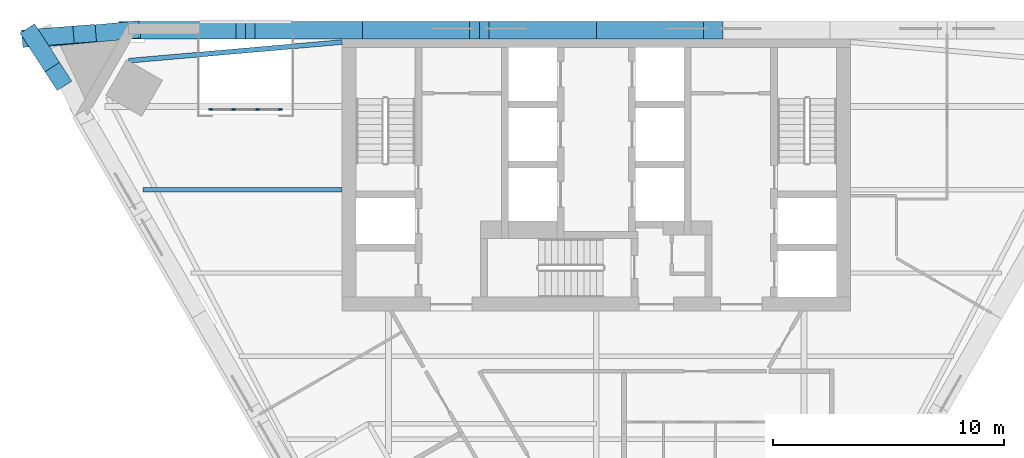
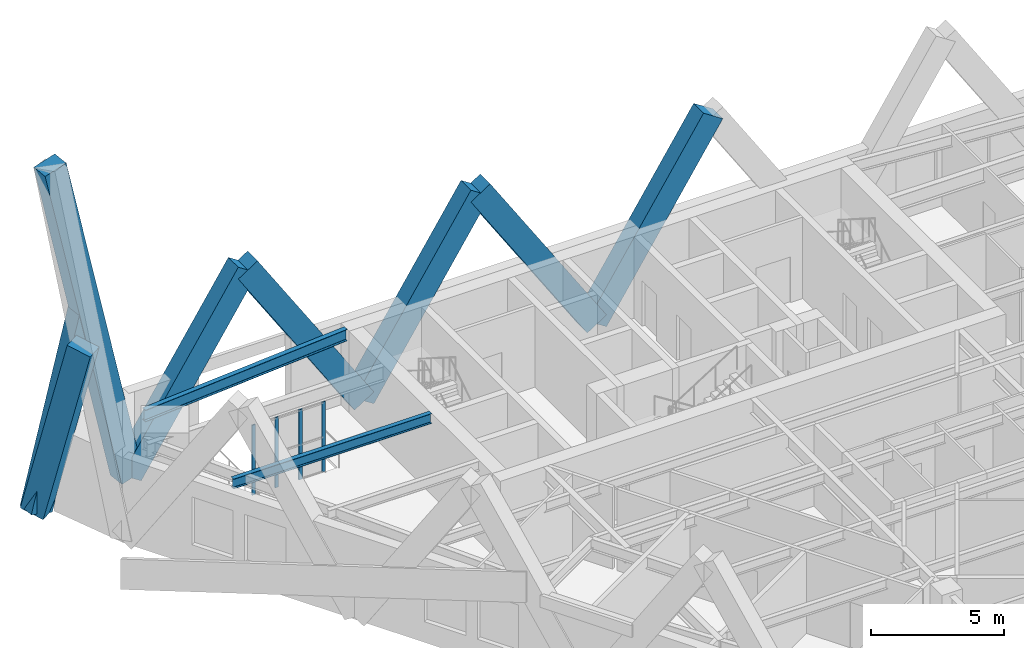
# One storey, part 2 of 9: 12 members, 2 beams, 1 element without a shape of its own.
"""IFC4 building model written with IfcOpenShell, lengths in metres."""

import ifcopenshell
import ifcopenshell.guid

model = None  # the IFC model being written
_history = None  # IfcOwnerHistory: only IFC2X3 demands one
_inside = {}  # id of a spatial element -> (the spatial element, [elements in it])
_under = {}  # id of a project, library or spatial element -> (it, [spatial elements below it])
_declared = {}  # id of a project -> (the project, [libraries it declares])
_typed = {}  # id of a type object -> (the type object, [elements of that type])
_made_of = {}  # id of a material, layer set ... -> (it, [elements and type objects made of it])


def new_model(schema):
    """Start an empty IFC model of exactly this schema.

    Asked for "IFC4X3", IfcOpenShell would pick the latest addendum, in which some entities
    have other attributes; the version numbers below select the first issue.
    IFC2X3 requires an IfcOwnerHistory on every rooted entity: one is made here for all.
    """
    global model, _history
    if schema == "IFC4X3":
        model = ifcopenshell.file(schema_version=(4, 3, 0, 0))
    else:
        model = ifcopenshell.file(schema=schema)
    _inside.clear()
    _under.clear()
    _declared.clear()
    _typed.clear()
    _made_of.clear()
    _history = None
    if model.schema == "IFC2X3":
        org = make("IfcOrganization", Name="unknown")
        user = make(
            "IfcPersonAndOrganization",
            ThePerson=make("IfcPerson", FamilyName="unknown"),
            TheOrganization=org,
        )
        app = make(
            "IfcApplication",
            ApplicationDeveloper=org,
            Version="unknown",
            ApplicationFullName="unknown",
            ApplicationIdentifier="unknown",
        )
        _history = make(
            "IfcOwnerHistory",
            OwningUser=user,
            OwningApplication=app,
            ChangeAction="ADDED",
            CreationDate=0,
        )
    return model


def make(cls, **values):
    """One entity of the class cls with the attributes given. An attribute that is None is left unset."""
    return model.create_entity(
        cls, **{name: value for name, value in values.items() if value is not None}
    )


def rooted(cls, **values):
    """An entity with a GlobalId (a new one), such as an element, a storey or a relation."""
    return make(cls, GlobalId=ifcopenshell.guid.new(), OwnerHistory=_history, **values)


def si_unit(unit_type, name, prefix=None):
    """IfcSIUnit, for example si_unit("LENGTHUNIT", "METRE", prefix="MILLI")."""
    return make("IfcSIUnit", UnitType=unit_type, Prefix=prefix, Name=name)


def assignment(units):
    """IfcUnitAssignment: the units of a project."""
    return None if units is None else make("IfcUnitAssignment", Units=units)


def point(xyz):
    """IfcCartesianPoint."""
    return None if xyz is None else make("IfcCartesianPoint", Coordinates=xyz)


def direction(xyz):
    """IfcDirection."""
    return None if xyz is None else make("IfcDirection", DirectionRatios=xyz)


def frame(location, z_axis=None, x_axis=None):
    """IfcAxis2Placement3D, a coordinate frame: its origin and axes. An axis left out is left unset."""
    return make(
        "IfcAxis2Placement3D",
        Location=point(location),
        Axis=direction(z_axis),
        RefDirection=direction(x_axis),
    )


def frame_2d(location, x_axis=None):
    """IfcAxis2Placement2D, a coordinate frame in the plane: its origin and x axis."""
    return make(
        "IfcAxis2Placement2D", Location=point(location), RefDirection=direction(x_axis)
    )


def origin():
    """The frame at (0, 0, 0) with its axes left unset."""
    return frame((0.0, 0.0, 0.0))


def origin_2d():
    """The frame at (0, 0) in the plane with its x axis left unset."""
    return frame_2d((0.0, 0.0))


def place(relative_to, where):
    """IfcLocalPlacement: puts the frame where relative to a parent placement (None: the world)."""
    return make(
        "IfcLocalPlacement", PlacementRelTo=relative_to, RelativePlacement=where
    )


def context(
    kind, dimensions, precision=None, world=None, true_north=None, identifier=None
):
    """IfcGeometricRepresentationContext, for example the 3D "Model" context."""
    return make(
        "IfcGeometricRepresentationContext",
        ContextIdentifier=identifier,
        ContextType=kind,
        CoordinateSpaceDimension=dimensions,
        Precision=precision,
        WorldCoordinateSystem=world,
        TrueNorth=true_north,
    )


def subcontext(parent, identifier, kind, view, scale=None):
    """IfcGeometricRepresentationSubContext, for example "Body" below "Model"."""
    return make(
        "IfcGeometricRepresentationSubContext",
        ContextIdentifier=identifier,
        ContextType=kind,
        ParentContext=parent,
        TargetScale=scale,
        TargetView=view,
    )


def project(units=None, contexts=None):
    """IfcProject with its units and contexts."""
    return rooted(
        "IfcProject",
        Name="project",
        RepresentationContexts=contexts,
        UnitsInContext=assignment(units),
    )


def spatial(cls, under=None, at=None, **own):
    """A site, building, storey or space (cls), placed at a placement, below another one or the project."""
    s = rooted(cls, ObjectPlacement=at, **own)
    if under is not None:
        _under.setdefault(under.id(), (under, []))[1].append(s)
    return s


def profile(cls, at=None, kind="AREA", **sizes):
    """A parametric profile (cls). Its sizes go by their IFC names, for example OverallWidth=200.0."""
    return make(cls, ProfileType=kind, Position=at, **sizes)


def rectangle(**sizes):
    """IfcRectangleProfileDef."""
    return profile("IfcRectangleProfileDef", **sizes)


def i_section(**sizes):
    """IfcIShapeProfileDef."""
    return profile("IfcIShapeProfileDef", **sizes)


def extrude(swept, where, along, depth):
    """IfcExtrudedAreaSolid: the profile swept, set in the frame where, extruded along a direction by depth."""
    return make(
        "IfcExtrudedAreaSolid",
        SweptArea=swept,
        Position=where,
        ExtrudedDirection=direction(along),
        Depth=depth,
    )


def shape(context_of_items, identifier, shape_type, items):
    """IfcShapeRepresentation: the items that make up one representation, for example the "Body"."""
    return make(
        "IfcShapeRepresentation",
        ContextOfItems=context_of_items,
        RepresentationIdentifier=identifier,
        RepresentationType=shape_type,
        Items=items,
    )


def material(Name=None, Category=None):
    """IfcMaterial."""
    return make("IfcMaterial", Name=Name, Category=Category)


def material_profile(
    of_material, cross_section, Name=None, Category=None, Priority=None
):
    """IfcMaterialProfile: a cross section and its material."""
    return make(
        "IfcMaterialProfile",
        Name=Name,
        Material=of_material,
        Profile=cross_section,
        Priority=Priority,
        Category=Category,
    )


def profile_set(profiles, Name=None, composite=None):
    """IfcMaterialProfileSet."""
    return make(
        "IfcMaterialProfileSet",
        Name=Name,
        MaterialProfiles=profiles,
        CompositeProfile=composite,
    )


def made_of(thing, what):
    """Note that an element or type object is made of a material, layer set ...; save() writes the relation."""
    if what is not None:
        _made_of.setdefault(what.id(), (what, []))[1].append(thing)
    return thing


def type_object(cls, material=None, **own):
    """A type object (cls), such as IfcWallType, which elements share."""
    return made_of(rooted(cls, **own), material)


def element(
    cls,
    number,
    at=None,
    inside=None,
    cuts=None,
    type_object=None,
    material=None,
    context=None,
    identifier="Body",
    shape_type=None,
    held_by="IfcProductDefinitionShape",
    body=None,
    shapes=None,
    **own,
):
    """One element of the class cls, such as IfcWall. Its Tag is "e" and its number.

    at: its placement. inside: the storey or other place that contains it. cuts: it is an
    opening in that element (IfcRelVoidsElement). A single representation is given by context,
    identifier, shape_type and body (its items); several are given by shapes. held_by: the class
    of the entity that holds the representations. save() writes the other relations.
    """
    e = rooted(cls, Tag="e%d" % number, ObjectPlacement=at, **own)
    if body is not None:
        shapes = [shape(context, identifier, shape_type, body)]
    if shapes is not None:
        e.Representation = make(held_by, Representations=shapes)
    if inside is not None:
        _inside.setdefault(inside.id(), (inside, []))[1].append(e)
    if cuts is not None:
        rooted(
            "IfcRelVoidsElement", RelatingBuildingElement=cuts, RelatedOpeningElement=e
        )
    if type_object is not None:
        _typed.setdefault(type_object.id(), (type_object, []))[1].append(e)
    return made_of(e, material)


def aggregate(whole, parts):
    """IfcRelAggregates: a whole, such as a stair, and the parts it consists of."""
    return rooted("IfcRelAggregates", RelatingObject=whole, RelatedObjects=parts)


def save(model, path):
    """Write the relations noted so far, then the file.

    IfcRelAggregates (storeys below a building ...), IfcRelContainedInSpatialStructure (elements
    in a storey), IfcRelDefinesByType, IfcRelAssociatesMaterial and IfcRelDeclares: one each for
    every whole, place, type object, material and project.
    """
    for whole, parts in _under.values():
        aggregate(whole, parts)
    for where, things in _inside.values():
        rooted(
            "IfcRelContainedInSpatialStructure",
            RelatedElements=things,
            RelatingStructure=where,
        )
    for kind, things in _typed.values():
        rooted("IfcRelDefinesByType", RelatedObjects=things, RelatingType=kind)
    for what, things in _made_of.values():
        rooted("IfcRelAssociatesMaterial", RelatedObjects=things, RelatingMaterial=what)
    for by, libraries in _declared.values():
        rooted("IfcRelDeclares", RelatingContext=by, RelatedDefinitions=libraries)
    model.write(path)


model = new_model("IFC4")

# Units and contexts
model_context = context("Model", 3, precision=1e-05, world=origin(), true_north=direction((0.0, 1.0)))
body_context = subcontext(model_context, "Body", "Model", "MODEL_VIEW")
ifc_project = project(units=[si_unit("LENGTHUNIT", "METRE"), si_unit("AREAUNIT", "SQUARE_METRE"), si_unit("VOLUMEUNIT", "CUBIC_METRE"), si_unit("PLANEANGLEUNIT", "RADIAN"), si_unit("MASSUNIT", "GRAM", prefix="KILO")], contexts=[model_context])

# Site, building, storey
site_placement = place(None, origin())
site = spatial("IfcSite", under=ifc_project, at=site_placement, CompositionType="ELEMENT")
building_placement = place(site_placement, origin())
building = spatial("IfcBuilding", under=site, at=building_placement, Name="Aloe Facet Convention Tower", CompositionType="ELEMENT")
storey_placement = place(building_placement, frame((0.0, 0.0, 144.199951171875)))
storey = spatial("IfcBuildingStorey", under=building, at=storey_placement, Name="L36", CompositionType="ELEMENT", Elevation=144.199951171875)

# Curtain wall, members
ifc_material_1 = material(Name="Aluminium, anodised", Category="aluminium")
curtain_wall_type = type_object("IfcCurtainWallType", Name="EV-CW-TERRACE", PredefinedType="USERDEFINED", material=ifc_material_1)
curtain_wall_placement = place(storey_placement, origin())
curtain_wall = element("IfcCurtainWall", 1, at=curtain_wall_placement, inside=storey, type_object=curtain_wall_type, Name="CW-T07", ObjectType="TERRACE BACK GLAZING", PredefinedType="USERDEFINED")
ifc_material_2 = material(Name="Aluminium, anodised", Category="aluminium")
ifc_material_profile_1 = material_profile(ifc_material_2, rectangle(XDim=0.06005859375, YDim=0.14990234375, at=origin_2d()), Name="AL 60x150")
ifc_profile_set_1 = profile_set([ifc_material_profile_1], Name="Aluminium, anodised")
member_type_1 = type_object("IfcMemberType", Name="EV-MULL-TERRACE", PredefinedType="MULLION", material=ifc_profile_set_1)
member_1_placement = place(storey_placement, frame((66.337646484375, 131.27490234375, -0.14990234375), z_axis=(0.0, 0.0, 1.0), x_axis=(0.0, -1.0, 0.0)))
member_1 = element("IfcMember", 2, at=member_1_placement, type_object=member_type_1, Name="CW-T07 mullion 1", PredefinedType="MULLION", context=body_context, shape_type="SweptSolid", body=[
    extrude(rectangle(XDim=0.06005859375, YDim=0.14990234375, at=origin_2d()), origin(), (0.0, 0.0, 1.0), 3.22216796875),
])
member_2_placement = place(storey_placement, frame((65.33447265625, 131.27490234375, -0.14990234375), z_axis=(0.0, 0.0, 1.0), x_axis=(0.0, -1.0, 0.0)))
member_2 = element("IfcMember", 3, at=member_2_placement, type_object=member_type_1, Name="CW-T07 mullion 2", PredefinedType="MULLION", context=body_context, shape_type="SweptSolid", body=[
    extrude(rectangle(XDim=0.06005859375, YDim=0.14990234375, at=origin_2d()), origin(), (0.0, 0.0, 1.0), 3.22216796875),
])
member_3_placement = place(storey_placement, frame((64.301025390625, 131.27490234375, -0.14990234375), z_axis=(0.0, 0.0, 1.0), x_axis=(0.0, -1.0, 0.0)))
member_3 = element("IfcMember", 4, at=member_3_placement, type_object=member_type_1, Name="CW-T07 mullion 3", PredefinedType="MULLION", context=body_context, shape_type="SweptSolid", body=[
    extrude(rectangle(XDim=0.06005859375, YDim=0.14990234375, at=origin_2d()), origin(), (0.0, 0.0, 1.0), 3.22216796875),
])
member_4_placement = place(storey_placement, frame((63.297607421875, 131.27490234375, -0.14990234375), z_axis=(0.0, 0.0, 1.0), x_axis=(0.0, -1.0, 0.0)))
member_4 = element("IfcMember", 5, at=member_4_placement, type_object=member_type_1, Name="CW-T07 mullion 4", PredefinedType="MULLION", context=body_context, shape_type="SweptSolid", body=[
    extrude(rectangle(XDim=0.06005859375, YDim=0.14990234375, at=origin_2d()), origin(), (0.0, 0.0, 1.0), 3.22216796875),
])
aggregate(curtain_wall, [member_1, member_2, member_3, member_4])

# Beams
ifc_material_3 = material(Name="Steel S355", Category="steel")
ifc_material_profile_2 = material_profile(ifc_material_3, i_section(OverallWidth=0.19140625, OverallDepth=0.4599609375, WebThickness=0.010009765625, FlangeThickness=0.01611328125, FilletRadius=0.01025390625, at=origin_2d()), Name="UB 457x191x82")
ifc_profile_set_2 = profile_set([ifc_material_profile_2], Name="Steel S355")
beam_type_1 = type_object("IfcBeamType", Name="SF-B-UB457x191x82", PredefinedType="BEAM", material=ifc_profile_set_2)
beam_1_placement = place(storey_placement, frame((60.373779296875, 127.800048828125, 3.52001953125), z_axis=(1.0, 0.0, 0.0), x_axis=(0.0, 1.0, 0.0)))
element("IfcBeam", 6, at=beam_1_placement, inside=storey, type_object=beam_type_1, Name="Floor beam FB-Z3F-018", PredefinedType="BEAM", context=body_context, shape_type="SweptSolid", body=[
    extrude(i_section(OverallWidth=0.19140625, OverallDepth=0.4599609375, WebThickness=0.010009765625, FlangeThickness=0.01611328125, FilletRadius=0.01025390625, at=origin_2d()), origin(), (0.0, 0.0, 1.0), 8.626220703125),
])
ifc_material_4 = material(Name="Steel S355", Category="steel")
ifc_material_profile_3 = material_profile(ifc_material_4, i_section(OverallWidth=0.209228515625, OverallDepth=0.533203125, WebThickness=0.010009765625, FlangeThickness=0.015625, FilletRadius=0.0126953125, at=origin_2d()), Name="UB 533x210x92")
ifc_profile_set_3 = profile_set([ifc_material_profile_3], Name="Steel S355")
beam_type_2 = type_object("IfcBeamType", Name="SF-B-UB533x210x92", PredefinedType="BEAM", material=ifc_profile_set_3)
beam_2_placement = place(storey_placement, frame((69.0, 134.1953125, 3.4833984375), z_axis=(-0.996184118201, -0.087276587035, 0.0), x_axis=(0.087276587035, -0.996184118201, 0.0)))
element("IfcBeam", 7, at=beam_2_placement, inside=storey, type_object=beam_type_2, Name="Floor beam FB-Z3F-002", PredefinedType="BEAM", context=body_context, shape_type="SweptSolid", body=[
    extrude(i_section(OverallWidth=0.209228515625, OverallDepth=0.533203125, WebThickness=0.010009765625, FlangeThickness=0.015625, FilletRadius=0.0126953125, at=origin_2d()), origin(), (0.0, 0.0, 1.0), 9.281494140625),
])

# Members
ifc_material_5 = material(Name="Concrete C60/75, bronze oxide finish", Category="concrete")
ifc_material_profile_4 = material_profile(ifc_material_5, rectangle(XDim=0.75, YDim=1.0, at=origin_2d()), Name="STW-LM")
ifc_profile_set_4 = profile_set([ifc_material_profile_4], Name="Concrete C60/75, bronze oxide finish")
member_type_2 = type_object("IfcMemberType", Name="STW-LM", PredefinedType="BRACE", material=ifc_profile_set_4)
for number, where, z_axis, x_axis, name in (
    (8, (80.0, 134.699951171875, 0.0), (0.544289502455, 0.0, 0.838897453517), (0.0, 1.0, 0.0), "Lattice member LM-Z3-F1-R2-04"),
    (9, (80.0, 134.699951171875, 0.0), (-0.544289502455, 0.0, 0.838897453517), (0.0, -1.0, 0.0), "Lattice member LM-Z3-F1-R2-05"),
    (10, (69.87841796875, 134.699951171875, 0.0), (0.544289502455, 0.0, 0.838897453517), (0.0, 1.0, 0.0), "Lattice member LM-Z3-F1-R2-06"),
    (11, (69.87841796875, 134.699951171875, 0.0), (-0.544289502455, 0.0, 0.838897453517), (0.0, -1.0, 0.0), "Lattice member LM-Z3-F1-R2-07"),
    (12, (59.7568359375, 134.699951171875, 0.0), (0.544289502455, 0.0, 0.838897453517), (0.0, 1.0, 0.0), "Lattice member LM-Z3-F1-R2-08"),
):
    element("IfcMember", number, at=place(storey_placement, frame(where, z_axis=z_axis, x_axis=x_axis)), inside=storey, type_object=member_type_2, Name=name, PredefinedType="BRACE", context=body_context, shape_type="SweptSolid", body=[
        extrude(rectangle(XDim=0.75, YDim=1.0, at=origin_2d()), origin(), (0.0, 0.0, 1.0), 9.298095703125),
    ])
member_5_placement = place(storey_placement, frame((59.7568359375, 134.699951171875, 0.0), z_axis=(-0.220394388514, -0.020618573429, 0.975192897811), x_axis=(0.09314634931, -0.995652428114, 0.0)))
element("IfcMember", 13, at=member_5_placement, inside=storey, type_object=member_type_2, Name="Lattice member LM-Z3-F4-R2-01", PredefinedType="BRACE", context=body_context, shape_type="SweptSolid", body=[
    extrude(rectangle(XDim=0.75, YDim=1.0, at=origin_2d()), origin(), (0.0, 0.0, 1.0), 15.996826171875),
])
member_6_placement = place(storey_placement, frame((55.63525390625, 134.375732421875, 0.0), z_axis=(0.255396942594, 0.020108226402, 0.966627157152), x_axis=(-0.078490328854, 0.99691487514, 0.0)))
element("IfcMember", 14, at=member_6_placement, inside=storey, type_object=member_type_2, Name="Lattice member LM-Z3-F4-R2-02", PredefinedType="BRACE", context=body_context, shape_type="SweptSolid", body=[
    extrude(rectangle(XDim=0.75, YDim=1.0, at=origin_2d()), origin(), (0.0, 0.0, 1.0), 8.693115234375),
])
member_7_placement = place(storey_placement, frame((55.63525390625, 134.375732421875, 0.0), z_axis=(0.129580617555, -0.199820032347, 0.971226450539), x_axis=(0.839023348025, 0.544095415776, 0.0)))
element("IfcMember", 15, at=member_7_placement, inside=storey, type_object=member_type_2, Name="Lattice member LM-Z3-F4-R2-04", PredefinedType="BRACE", context=body_context, shape_type="SweptSolid", body=[
    extrude(rectangle(XDim=0.75, YDim=1.0, at=origin_2d()), origin(), (0.0, 0.0, 1.0), 8.35595703125),
])

save(model, "model.ifc")
